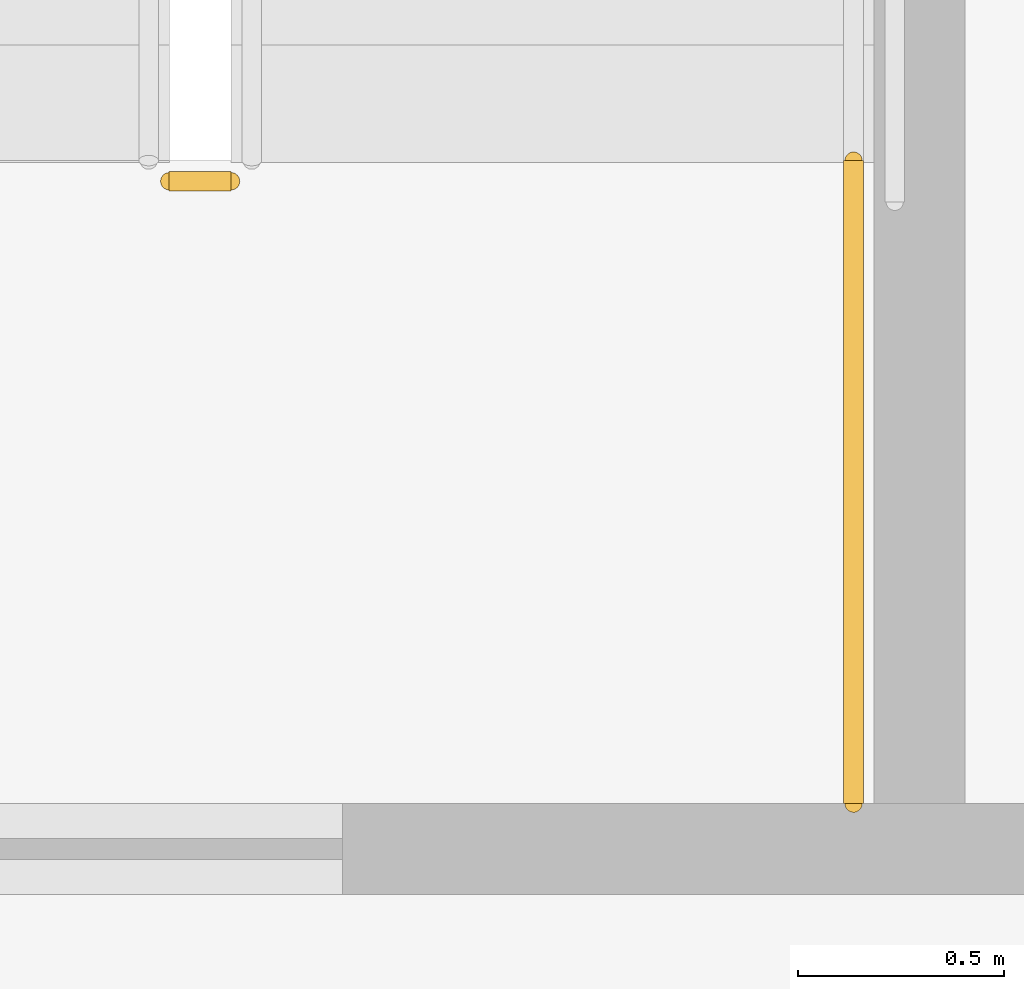
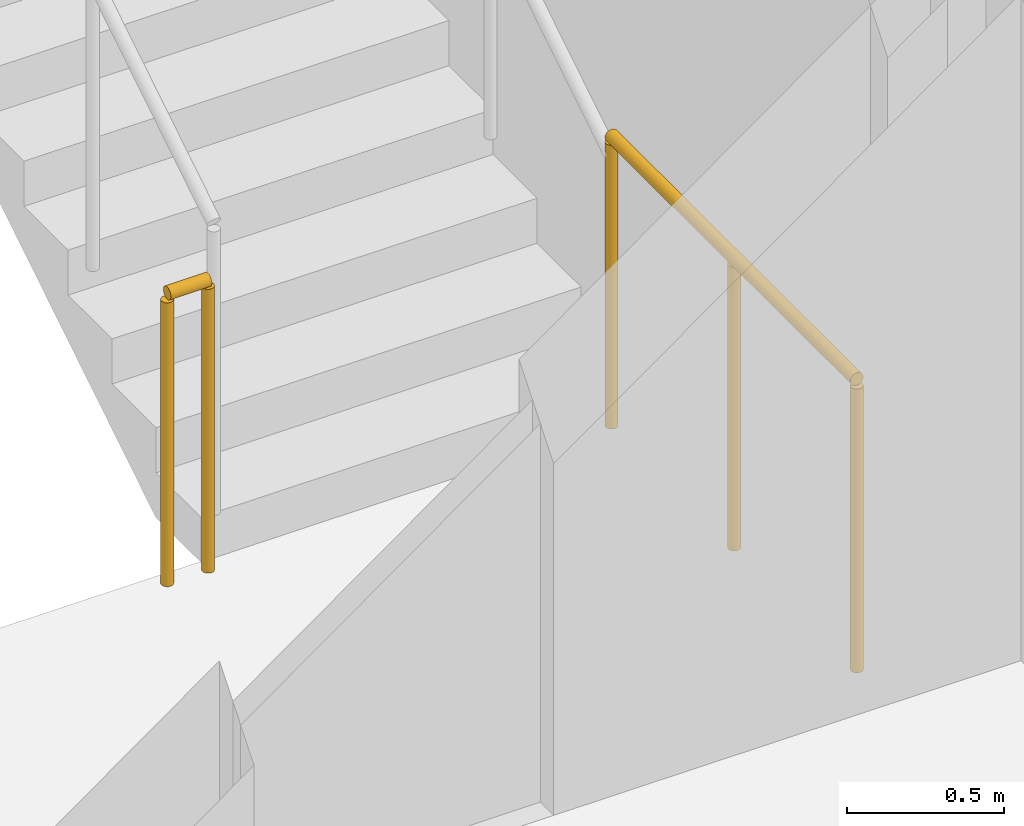
# One storey, part 12 of 15: 2 railings.
"""IFC4 building model written with IfcOpenShell, lengths in metres."""

from ifc_helpers import new_model, si_unit, direction, frame, origin, origin_2d, place, context, subcontext, project, spatial, circle, extrude, material, type_object, element, save


model = new_model("IFC4")

# Units and contexts
model_context = context("Model", 3, precision=1e-05, world=origin(), true_north=direction((0.0, 1.0)))
body_context = subcontext(model_context, "Body", "Model", "MODEL_VIEW")
ifc_project = project(units=[si_unit("LENGTHUNIT", "METRE"), si_unit("AREAUNIT", "SQUARE_METRE"), si_unit("VOLUMEUNIT", "CUBIC_METRE"), si_unit("PLANEANGLEUNIT", "RADIAN"), si_unit("MASSUNIT", "GRAM", prefix="KILO")], contexts=[model_context])

# Site, building, storey
site_placement = place(None, origin())
site = spatial("IfcSite", under=ifc_project, at=site_placement, CompositionType="ELEMENT")
building_placement = place(site_placement, origin())
building = spatial("IfcBuilding", under=site, at=building_placement, Name="Khairoan Windgate Tower", CompositionType="ELEMENT")
storey_placement = place(building_placement, frame((0.0, 0.0, 76.39990234375)))
storey = spatial("IfcBuildingStorey", under=building, at=storey_placement, Name="L18", CompositionType="ELEMENT", Elevation=76.39990234375)

# Railings
ifc_material = material(Name="Steel S355", Category="steel")
railing_type = type_object("IfcRailingType", Name="Stairwell Safety Guardrail SGR-1150", PredefinedType="GUARDRAIL", material=ifc_material)
railing_1_placement = place(storey_placement, frame((-17.7099609375, 2.909912109375, 0.0)))
element("IfcRailing", 1, at=railing_1_placement, inside=storey, type_object=railing_type, Name="L18 ST2 stair guard 7", PredefinedType="GUARDRAIL", context=body_context, shape_type="SweptSolid", body=[
    extrude(circle(Radius=0.02392578125, at=origin_2d()), frame((0.0, 0.0, 1.1259765625), z_axis=(-1.0, 0.0, 0.0), x_axis=(0.0, -1.0, 0.0)), (0.0, 0.0, 1.0), 0.150146484375),
    extrude(circle(Radius=0.02099609375, at=origin_2d()), origin(), (0.0, 0.0, 1.0), 1.101806640625),
    extrude(circle(Radius=0.02099609375, at=origin_2d()), frame((-0.150146484375, 0.0, 0.0)), (0.0, 0.0, 1.0), 1.101806640625),
])
railing_2_placement = place(storey_placement, frame((-16.199951171875, 1.39990234375, 0.0)))
element("IfcRailing", 2, at=railing_2_placement, inside=storey, type_object=railing_type, Name="L18 ST2 stair guard 8", PredefinedType="GUARDRAIL", context=body_context, shape_type="SweptSolid", body=[
    extrude(circle(Radius=0.02392578125, at=origin_2d()), frame((0.0, 0.0, 1.1259765625), z_axis=(0.0, 1.0, 0.0), x_axis=(-1.0, 0.0, 0.0)), (0.0, 0.0, 1.0), 1.56005859375),
    extrude(circle(Radius=0.02099609375, at=origin_2d()), origin(), (0.0, 0.0, 1.0), 1.101806640625),
    extrude(circle(Radius=0.02099609375, at=origin_2d()), frame((0.0, 0.780029296875, 0.0)), (0.0, 0.0, 1.0), 1.101806640625),
    extrude(circle(Radius=0.02099609375, at=origin_2d()), frame((0.0, 1.56005859375, 0.0)), (0.0, 0.0, 1.0), 1.101806640625),
])

save(model, "model.ifc")
